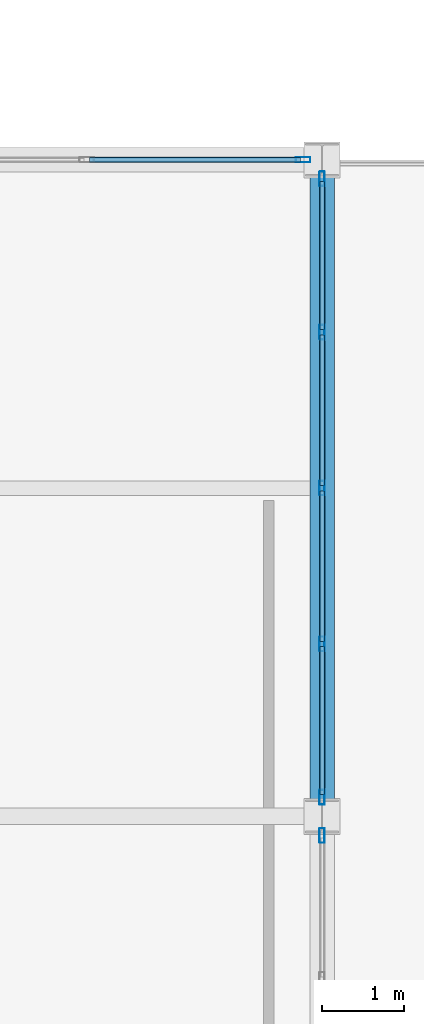
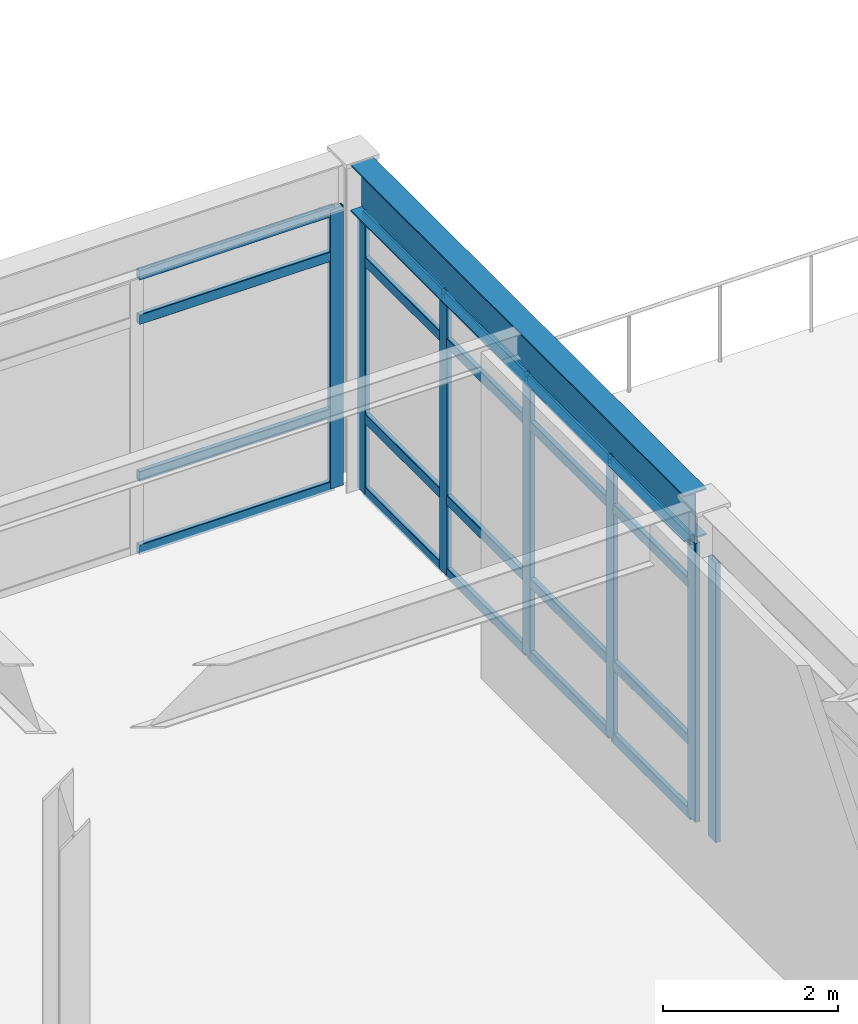
# One storey, part 42 of 93: 27 members, 1 beam, 3 elements without a shape of their own.
"""IFC4 building model written with IfcOpenShell, lengths in metres."""

from ifc_helpers import new_model, si_unit, direction, frame, origin, origin_2d, place, context, subcontext, project, spatial, hollow_rectangle, i_section, extrude, material, layer, layer_set, material_profile, profile_set, type_object, element, aggregate, save


model = new_model("IFC4")

# Units and contexts
model_context = context("Model", 3, precision=1e-05, world=origin(), true_north=direction((0.0, 1.0)))
body_context = subcontext(model_context, "Body", "Model", "MODEL_VIEW")
ifc_project = project(units=[si_unit("LENGTHUNIT", "METRE"), si_unit("AREAUNIT", "SQUARE_METRE"), si_unit("VOLUMEUNIT", "CUBIC_METRE"), si_unit("PLANEANGLEUNIT", "RADIAN"), si_unit("MASSUNIT", "GRAM", prefix="KILO")], contexts=[model_context])

# Site, building, storey
site_placement = place(None, origin())
site = spatial("IfcSite", under=ifc_project, at=site_placement, CompositionType="ELEMENT")
building_placement = place(site_placement, origin())
building = spatial("IfcBuilding", under=site, at=building_placement, Name="Kazehara Bluff Congress Hotel", CompositionType="ELEMENT")
storey_placement = place(building_placement, frame((0.0, 0.0, 15.0)))
storey = spatial("IfcBuildingStorey", under=building, at=storey_placement, Name="L03", CompositionType="ELEMENT", Elevation=15.0)

# Curtain wall, member
ifc_material_1 = material(Name="Anodised aluminium", Category="aluminium")
ifc_layer_1 = layer(ifc_material_1, 0.159912109375)
ifc_layer_set_1 = layer_set([ifc_layer_1], Name="Anodised aluminium")
curtain_wall_type_1 = type_object("IfcCurtainWallType", Name="TP-CW-62", PredefinedType="NOTDEFINED", material=ifc_layer_set_1)
curtain_wall_1_placement = place(storey_placement, origin())
curtain_wall_1 = element("IfcCurtainWall", 1, at=curtain_wall_1_placement, inside=storey, type_object=curtain_wall_type_1, Name="L03 curtain wall CW-62 CW-V4-L03-X10125-4110", PredefinedType="NOTDEFINED")
ifc_material_2 = material(Name="Anodised aluminium", Category="aluminium")
ifc_material_profile_1 = material_profile(ifc_material_2, hollow_rectangle(XDim=0.06494140625, YDim=0.179931640625, WallThickness=0.00390625, InnerFilletRadius=0.00390625, OuterFilletRadius=0.008056640625, at=origin_2d()))
ifc_profile_set_1 = profile_set([ifc_material_profile_1], Name="Anodised aluminium")
member_type_1 = type_object("IfcMemberType", Name="TP-CWM-02", PredefinedType="MULLION", material=ifc_profile_set_1)
member_1_placement = place(storey_placement, frame((101.25, 48.217529296875, 0.0), z_axis=(0.0, 0.0, 1.0), x_axis=(-1.0, 0.0, 0.0)))
member_1 = element("IfcMember", 2, at=member_1_placement, type_object=member_type_1, Name="CW-62 mullion 5", PredefinedType="MULLION", context=body_context, shape_type="SweptSolid", body=[
    extrude(hollow_rectangle(XDim=0.06494140625, YDim=0.179931640625, WallThickness=0.00390625, InnerFilletRadius=0.00390625, OuterFilletRadius=0.008056640625, at=origin_2d()), origin(), (0.0, 0.0, 1.0), 3.885009765625),
])
aggregate(curtain_wall_1, [member_1])

# Curtain wall, members
ifc_material_3 = material(Name="Anodised aluminium", Category="aluminium")
ifc_layer_2 = layer(ifc_material_3, 0.159912109375)
ifc_layer_set_2 = layer_set([ifc_layer_2], Name="Anodised aluminium")
curtain_wall_type_2 = type_object("IfcCurtainWallType", Name="TP-CW-10", PredefinedType="NOTDEFINED", material=ifc_layer_set_2)
curtain_wall_2_placement = place(storey_placement, origin())
curtain_wall_2 = element("IfcCurtainWall", 3, at=curtain_wall_2_placement, inside=storey, type_object=curtain_wall_type_2, Name="L03 curtain wall CW-10 CW-V4-L03-X10125-4865", PredefinedType="NOTDEFINED")
member_2_placement = place(storey_placement, frame((101.25, 48.6826171875, 0.0), z_axis=(0.0, 0.0, 1.0), x_axis=(-1.0, 0.0, 0.0)))
member_2 = element("IfcMember", 4, at=member_2_placement, type_object=member_type_1, Name="CW-10 mullion 1", PredefinedType="MULLION", context=body_context, shape_type="SweptSolid", body=[
    extrude(hollow_rectangle(XDim=0.06494140625, YDim=0.179931640625, WallThickness=0.00390625, InnerFilletRadius=0.00390625, OuterFilletRadius=0.008056640625, at=origin_2d()), origin(), (0.0, 0.0, 1.0), 3.885009765625),
])
member_3_placement = place(storey_placement, frame((101.25, 50.550048828125, 0.0), z_axis=(0.0, 0.0, 1.0), x_axis=(-1.0, 0.0, 0.0)))
member_3 = element("IfcMember", 5, at=member_3_placement, type_object=member_type_1, Name="CW-10 mullion 2", PredefinedType="MULLION", context=body_context, shape_type="SweptSolid", body=[
    extrude(hollow_rectangle(XDim=0.06494140625, YDim=0.179931640625, WallThickness=0.00390625, InnerFilletRadius=0.00390625, OuterFilletRadius=0.008056640625, at=origin_2d()), origin(), (0.0, 0.0, 1.0), 3.885009765625),
])
member_4_placement = place(storey_placement, frame((101.25, 52.449951171875, 0.0), z_axis=(0.0, 0.0, 1.0), x_axis=(-1.0, 0.0, 0.0)))
member_4 = element("IfcMember", 6, at=member_4_placement, type_object=member_type_1, Name="CW-10 mullion 3", PredefinedType="MULLION", context=body_context, shape_type="SweptSolid", body=[
    extrude(hollow_rectangle(XDim=0.06494140625, YDim=0.179931640625, WallThickness=0.00390625, InnerFilletRadius=0.00390625, OuterFilletRadius=0.008056640625, at=origin_2d()), origin(), (0.0, 0.0, 1.0), 3.885009765625),
])
member_5_placement = place(storey_placement, frame((101.25, 54.35009765625, 0.0), z_axis=(0.0, 0.0, 1.0), x_axis=(-1.0, 0.0, 0.0)))
member_5 = element("IfcMember", 7, at=member_5_placement, type_object=member_type_1, Name="CW-10 mullion 4", PredefinedType="MULLION", context=body_context, shape_type="SweptSolid", body=[
    extrude(hollow_rectangle(XDim=0.06494140625, YDim=0.179931640625, WallThickness=0.00390625, InnerFilletRadius=0.00390625, OuterFilletRadius=0.008056640625, at=origin_2d()), origin(), (0.0, 0.0, 1.0), 3.885009765625),
])
member_6_placement = place(storey_placement, frame((101.25, 56.217529296875, 0.0), z_axis=(0.0, 0.0, 1.0), x_axis=(-1.0, 0.0, 0.0)))
member_6 = element("IfcMember", 8, at=member_6_placement, type_object=member_type_1, Name="CW-10 mullion 5", PredefinedType="MULLION", context=body_context, shape_type="SweptSolid", body=[
    extrude(hollow_rectangle(XDim=0.06494140625, YDim=0.179931640625, WallThickness=0.00390625, InnerFilletRadius=0.00390625, OuterFilletRadius=0.008056640625, at=origin_2d()), origin(), (0.0, 0.0, 1.0), 3.885009765625),
])

# Curtain wall, member
ifc_material_4 = material(Name="Anodised aluminium", Category="aluminium")
ifc_layer_3 = layer(ifc_material_4, 0.159912109375)
ifc_layer_set_3 = layer_set([ifc_layer_3], Name="Anodised aluminium")
curtain_wall_type_3 = type_object("IfcCurtainWallType", Name="TP-CW-76", PredefinedType="NOTDEFINED", material=ifc_layer_set_3)
curtain_wall_3_placement = place(storey_placement, origin())
curtain_wall_3 = element("IfcCurtainWall", 9, at=curtain_wall_3_placement, inside=storey, type_object=curtain_wall_type_3, Name="L03 curtain wall CW-76 CW-V4-L03-Y5645-9305", PredefinedType="NOTDEFINED")
member_7_placement = place(storey_placement, frame((101.017578125, 56.449951171875, 0.0), z_axis=(0.0, 0.0, 1.0), x_axis=(0.0, 1.0, 0.0)))
member_7 = element("IfcMember", 10, at=member_7_placement, type_object=member_type_1, Name="CW-76 mullion 4", PredefinedType="MULLION", context=body_context, shape_type="SweptSolid", body=[
    extrude(hollow_rectangle(XDim=0.06494140625, YDim=0.179931640625, WallThickness=0.00390625, InnerFilletRadius=0.00390625, OuterFilletRadius=0.008056640625, at=origin_2d()), origin(), (0.0, 0.0, 1.0), 3.885009765625),
])

# Member
ifc_material_5 = material(Name="Anodised aluminium", Category="aluminium")
ifc_material_profile_2 = material_profile(ifc_material_5, hollow_rectangle(XDim=0.06494140625, YDim=0.139892578125, WallThickness=0.00390625, InnerFilletRadius=0.00390625, OuterFilletRadius=0.008056640625, at=origin_2d()))
ifc_profile_set_2 = profile_set([ifc_material_profile_2], Name="Anodised aluminium")
member_type_2 = type_object("IfcMemberType", Name="TP-CWT-02", PredefinedType="USERDEFINED", material=ifc_profile_set_2)
member_8_placement = place(storey_placement, frame((101.25, 48.715087890625, 0.032470703125), z_axis=(0.0, 1.0, 0.0), x_axis=(-1.0, 0.0, 0.0)))
member_8 = element("IfcMember", 11, at=member_8_placement, type_object=member_type_2, Name="CW-10 transom 1.1", ObjectType="TRANSOM", PredefinedType="USERDEFINED", context=body_context, shape_type="SweptSolid", body=[
    extrude(hollow_rectangle(XDim=0.06494140625, YDim=0.139892578125, WallThickness=0.00390625, InnerFilletRadius=0.00390625, OuterFilletRadius=0.008056640625, at=origin_2d()), origin(), (0.0, 0.0, 1.0), 1.802490234375),
])

member_9_placement = place(storey_placement, frame((101.25, 48.715087890625, 1.050048828125), z_axis=(0.0, 1.0, 0.0), x_axis=(-1.0, 0.0, 0.0)))
member_9 = element("IfcMember", 12, at=member_9_placement, type_object=member_type_2, Name="CW-10 transom 1.2", ObjectType="TRANSOM", PredefinedType="USERDEFINED", context=body_context, shape_type="SweptSolid", body=[
    extrude(hollow_rectangle(XDim=0.06494140625, YDim=0.139892578125, WallThickness=0.00390625, InnerFilletRadius=0.00390625, OuterFilletRadius=0.008056640625, at=origin_2d()), origin(), (0.0, 0.0, 1.0), 1.802490234375),
])

member_10_placement = place(storey_placement, frame((101.25, 48.715087890625, 3.235107421875), z_axis=(0.0, 1.0, 0.0), x_axis=(-1.0, 0.0, 0.0)))
member_10 = element("IfcMember", 13, at=member_10_placement, type_object=member_type_2, Name="CW-10 transom 1.3", ObjectType="TRANSOM", PredefinedType="USERDEFINED", context=body_context, shape_type="SweptSolid", body=[
    extrude(hollow_rectangle(XDim=0.06494140625, YDim=0.139892578125, WallThickness=0.00390625, InnerFilletRadius=0.00390625, OuterFilletRadius=0.008056640625, at=origin_2d()), origin(), (0.0, 0.0, 1.0), 1.802490234375),
])

member_11_placement = place(storey_placement, frame((101.25, 48.715087890625, 3.8525390625), z_axis=(0.0, 1.0, 0.0), x_axis=(-1.0, 0.0, 0.0)))
member_11 = element("IfcMember", 14, at=member_11_placement, type_object=member_type_2, Name="CW-10 transom 1.4", ObjectType="TRANSOM", PredefinedType="USERDEFINED", context=body_context, shape_type="SweptSolid", body=[
    extrude(hollow_rectangle(XDim=0.06494140625, YDim=0.139892578125, WallThickness=0.00390625, InnerFilletRadius=0.00390625, OuterFilletRadius=0.008056640625, at=origin_2d()), origin(), (0.0, 0.0, 1.0), 1.802490234375),
])

member_12_placement = place(storey_placement, frame((101.25, 50.58251953125, 0.032470703125), z_axis=(0.0, 1.0, 0.0), x_axis=(-1.0, 0.0, 0.0)))
member_12 = element("IfcMember", 15, at=member_12_placement, type_object=member_type_2, Name="CW-10 transom 2.1", ObjectType="TRANSOM", PredefinedType="USERDEFINED", context=body_context, shape_type="SweptSolid", body=[
    extrude(hollow_rectangle(XDim=0.06494140625, YDim=0.139892578125, WallThickness=0.00390625, InnerFilletRadius=0.00390625, OuterFilletRadius=0.008056640625, at=origin_2d()), origin(), (0.0, 0.0, 1.0), 1.8349609375),
])

member_13_placement = place(storey_placement, frame((101.25, 50.58251953125, 1.050048828125), z_axis=(0.0, 1.0, 0.0), x_axis=(-1.0, 0.0, 0.0)))
member_13 = element("IfcMember", 16, at=member_13_placement, type_object=member_type_2, Name="CW-10 transom 2.2", ObjectType="TRANSOM", PredefinedType="USERDEFINED", context=body_context, shape_type="SweptSolid", body=[
    extrude(hollow_rectangle(XDim=0.06494140625, YDim=0.139892578125, WallThickness=0.00390625, InnerFilletRadius=0.00390625, OuterFilletRadius=0.008056640625, at=origin_2d()), origin(), (0.0, 0.0, 1.0), 1.8349609375),
])

member_14_placement = place(storey_placement, frame((101.25, 50.58251953125, 3.235107421875), z_axis=(0.0, 1.0, 0.0), x_axis=(-1.0, 0.0, 0.0)))
member_14 = element("IfcMember", 17, at=member_14_placement, type_object=member_type_2, Name="CW-10 transom 2.3", ObjectType="TRANSOM", PredefinedType="USERDEFINED", context=body_context, shape_type="SweptSolid", body=[
    extrude(hollow_rectangle(XDim=0.06494140625, YDim=0.139892578125, WallThickness=0.00390625, InnerFilletRadius=0.00390625, OuterFilletRadius=0.008056640625, at=origin_2d()), origin(), (0.0, 0.0, 1.0), 1.8349609375),
])

member_15_placement = place(storey_placement, frame((101.25, 50.58251953125, 3.8525390625), z_axis=(0.0, 1.0, 0.0), x_axis=(-1.0, 0.0, 0.0)))
member_15 = element("IfcMember", 18, at=member_15_placement, type_object=member_type_2, Name="CW-10 transom 2.4", ObjectType="TRANSOM", PredefinedType="USERDEFINED", context=body_context, shape_type="SweptSolid", body=[
    extrude(hollow_rectangle(XDim=0.06494140625, YDim=0.139892578125, WallThickness=0.00390625, InnerFilletRadius=0.00390625, OuterFilletRadius=0.008056640625, at=origin_2d()), origin(), (0.0, 0.0, 1.0), 1.8349609375),
])

member_16_placement = place(storey_placement, frame((101.25, 52.482421875, 0.032470703125), z_axis=(0.0, 1.0, 0.0), x_axis=(-1.0, 0.0, 0.0)))
member_16 = element("IfcMember", 19, at=member_16_placement, type_object=member_type_2, Name="CW-10 transom 3.1", ObjectType="TRANSOM", PredefinedType="USERDEFINED", context=body_context, shape_type="SweptSolid", body=[
    extrude(hollow_rectangle(XDim=0.06494140625, YDim=0.139892578125, WallThickness=0.00390625, InnerFilletRadius=0.00390625, OuterFilletRadius=0.008056640625, at=origin_2d()), origin(), (0.0, 0.0, 1.0), 1.8349609375),
])

member_17_placement = place(storey_placement, frame((101.25, 52.482421875, 1.050048828125), z_axis=(0.0, 1.0, 0.0), x_axis=(-1.0, 0.0, 0.0)))
member_17 = element("IfcMember", 20, at=member_17_placement, type_object=member_type_2, Name="CW-10 transom 3.2", ObjectType="TRANSOM", PredefinedType="USERDEFINED", context=body_context, shape_type="SweptSolid", body=[
    extrude(hollow_rectangle(XDim=0.06494140625, YDim=0.139892578125, WallThickness=0.00390625, InnerFilletRadius=0.00390625, OuterFilletRadius=0.008056640625, at=origin_2d()), origin(), (0.0, 0.0, 1.0), 1.8349609375),
])

member_18_placement = place(storey_placement, frame((101.25, 52.482421875, 3.235107421875), z_axis=(0.0, 1.0, 0.0), x_axis=(-1.0, 0.0, 0.0)))
member_18 = element("IfcMember", 21, at=member_18_placement, type_object=member_type_2, Name="CW-10 transom 3.3", ObjectType="TRANSOM", PredefinedType="USERDEFINED", context=body_context, shape_type="SweptSolid", body=[
    extrude(hollow_rectangle(XDim=0.06494140625, YDim=0.139892578125, WallThickness=0.00390625, InnerFilletRadius=0.00390625, OuterFilletRadius=0.008056640625, at=origin_2d()), origin(), (0.0, 0.0, 1.0), 1.8349609375),
])

member_19_placement = place(storey_placement, frame((101.25, 52.482421875, 3.8525390625), z_axis=(0.0, 1.0, 0.0), x_axis=(-1.0, 0.0, 0.0)))
member_19 = element("IfcMember", 22, at=member_19_placement, type_object=member_type_2, Name="CW-10 transom 3.4", ObjectType="TRANSOM", PredefinedType="USERDEFINED", context=body_context, shape_type="SweptSolid", body=[
    extrude(hollow_rectangle(XDim=0.06494140625, YDim=0.139892578125, WallThickness=0.00390625, InnerFilletRadius=0.00390625, OuterFilletRadius=0.008056640625, at=origin_2d()), origin(), (0.0, 0.0, 1.0), 1.8349609375),
])

member_20_placement = place(storey_placement, frame((101.25, 54.382568359375, 0.032470703125), z_axis=(0.0, 1.0, 0.0), x_axis=(-1.0, 0.0, 0.0)))
member_20 = element("IfcMember", 23, at=member_20_placement, type_object=member_type_2, Name="CW-10 transom 4.1", ObjectType="TRANSOM", PredefinedType="USERDEFINED", context=body_context, shape_type="SweptSolid", body=[
    extrude(hollow_rectangle(XDim=0.06494140625, YDim=0.139892578125, WallThickness=0.00390625, InnerFilletRadius=0.00390625, OuterFilletRadius=0.008056640625, at=origin_2d()), origin(), (0.0, 0.0, 1.0), 1.802490234375),
])

member_21_placement = place(storey_placement, frame((101.25, 54.382568359375, 1.050048828125), z_axis=(0.0, 1.0, 0.0), x_axis=(-1.0, 0.0, 0.0)))
member_21 = element("IfcMember", 24, at=member_21_placement, type_object=member_type_2, Name="CW-10 transom 4.2", ObjectType="TRANSOM", PredefinedType="USERDEFINED", context=body_context, shape_type="SweptSolid", body=[
    extrude(hollow_rectangle(XDim=0.06494140625, YDim=0.139892578125, WallThickness=0.00390625, InnerFilletRadius=0.00390625, OuterFilletRadius=0.008056640625, at=origin_2d()), origin(), (0.0, 0.0, 1.0), 1.802490234375),
])

member_22_placement = place(storey_placement, frame((101.25, 54.382568359375, 3.235107421875), z_axis=(0.0, 1.0, 0.0), x_axis=(-1.0, 0.0, 0.0)))
member_22 = element("IfcMember", 25, at=member_22_placement, type_object=member_type_2, Name="CW-10 transom 4.3", ObjectType="TRANSOM", PredefinedType="USERDEFINED", context=body_context, shape_type="SweptSolid", body=[
    extrude(hollow_rectangle(XDim=0.06494140625, YDim=0.139892578125, WallThickness=0.00390625, InnerFilletRadius=0.00390625, OuterFilletRadius=0.008056640625, at=origin_2d()), origin(), (0.0, 0.0, 1.0), 1.802490234375),
])

member_23_placement = place(storey_placement, frame((101.25, 54.382568359375, 3.8525390625), z_axis=(0.0, 1.0, 0.0), x_axis=(-1.0, 0.0, 0.0)))
member_23 = element("IfcMember", 26, at=member_23_placement, type_object=member_type_2, Name="CW-10 transom 4.4", ObjectType="TRANSOM", PredefinedType="USERDEFINED", context=body_context, shape_type="SweptSolid", body=[
    extrude(hollow_rectangle(XDim=0.06494140625, YDim=0.139892578125, WallThickness=0.00390625, InnerFilletRadius=0.00390625, OuterFilletRadius=0.008056640625, at=origin_2d()), origin(), (0.0, 0.0, 1.0), 1.802490234375),
])

aggregate(curtain_wall_2, [member_2, member_3, member_4, member_5, member_6, member_8, member_9, member_10, member_11, member_12, member_13, member_14, member_15, member_16, member_17, member_18, member_19, member_20, member_21, member_22, member_23])

member_24_placement = place(storey_placement, frame((98.415771484375, 56.449951171875, 0.032470703125), z_axis=(1.0, 0.0, 0.0), x_axis=(0.0, 1.0, 0.0)))
member_24 = element("IfcMember", 27, at=member_24_placement, type_object=member_type_2, Name="CW-76 transom 3.1", ObjectType="TRANSOM", PredefinedType="USERDEFINED", context=body_context, shape_type="SweptSolid", body=[
    extrude(hollow_rectangle(XDim=0.06494140625, YDim=0.139892578125, WallThickness=0.00390625, InnerFilletRadius=0.00390625, OuterFilletRadius=0.008056640625, at=origin_2d()), origin(), (0.0, 0.0, 1.0), 2.5693359375),
])

member_25_placement = place(storey_placement, frame((98.415771484375, 56.449951171875, 1.050048828125), z_axis=(1.0, 0.0, 0.0), x_axis=(0.0, 1.0, 0.0)))
member_25 = element("IfcMember", 28, at=member_25_placement, type_object=member_type_2, Name="CW-76 transom 3.2", ObjectType="TRANSOM", PredefinedType="USERDEFINED", context=body_context, shape_type="SweptSolid", body=[
    extrude(hollow_rectangle(XDim=0.06494140625, YDim=0.139892578125, WallThickness=0.00390625, InnerFilletRadius=0.00390625, OuterFilletRadius=0.008056640625, at=origin_2d()), origin(), (0.0, 0.0, 1.0), 2.5693359375),
])

member_26_placement = place(storey_placement, frame((98.415771484375, 56.449951171875, 3.235107421875), z_axis=(1.0, 0.0, 0.0), x_axis=(0.0, 1.0, 0.0)))
member_26 = element("IfcMember", 29, at=member_26_placement, type_object=member_type_2, Name="CW-76 transom 3.3", ObjectType="TRANSOM", PredefinedType="USERDEFINED", context=body_context, shape_type="SweptSolid", body=[
    extrude(hollow_rectangle(XDim=0.06494140625, YDim=0.139892578125, WallThickness=0.00390625, InnerFilletRadius=0.00390625, OuterFilletRadius=0.008056640625, at=origin_2d()), origin(), (0.0, 0.0, 1.0), 2.5693359375),
])

member_27_placement = place(storey_placement, frame((98.415771484375, 56.449951171875, 3.8525390625), z_axis=(1.0, 0.0, 0.0), x_axis=(0.0, 1.0, 0.0)))
member_27 = element("IfcMember", 30, at=member_27_placement, type_object=member_type_2, Name="CW-76 transom 3.4", ObjectType="TRANSOM", PredefinedType="USERDEFINED", context=body_context, shape_type="SweptSolid", body=[
    extrude(hollow_rectangle(XDim=0.06494140625, YDim=0.139892578125, WallThickness=0.00390625, InnerFilletRadius=0.00390625, OuterFilletRadius=0.008056640625, at=origin_2d()), origin(), (0.0, 0.0, 1.0), 2.5693359375),
])

aggregate(curtain_wall_3, [member_7, member_24, member_25, member_26, member_27])

# Beam
ifc_material_6 = material(Name="Steel SN490B", Category="steel")
ifc_material_profile_3 = material_profile(ifc_material_6, i_section(OverallWidth=0.300048828125, OverallDepth=0.64990234375, WebThickness=0.011962890625, FlangeThickness=0.02001953125, FilletRadius=0.012939453125, at=origin_2d()))
ifc_profile_set_3 = profile_set([ifc_material_profile_3], Name="Steel SN490B")
beam_type = type_object("IfcBeamType", Name="TP-G-03", PredefinedType="BEAM", material=ifc_profile_set_3)
beam_placement = place(storey_placement, frame((101.25, 48.64990234375, 4.235107421875), z_axis=(0.0, 1.0, 0.0), x_axis=(-1.0, 0.0, 0.0)))
element("IfcBeam", 31, at=beam_placement, inside=storey, type_object=beam_type, Name="L03 girder G-03 70", PredefinedType="BEAM", context=body_context, shape_type="SweptSolid", body=[
    extrude(i_section(OverallWidth=0.300048828125, OverallDepth=0.64990234375, WebThickness=0.011962890625, FlangeThickness=0.02001953125, FilletRadius=0.012939453125, at=origin_2d()), origin(), (0.0, 0.0, 1.0), 7.60009765625),
])

save(model, "model.ifc")
